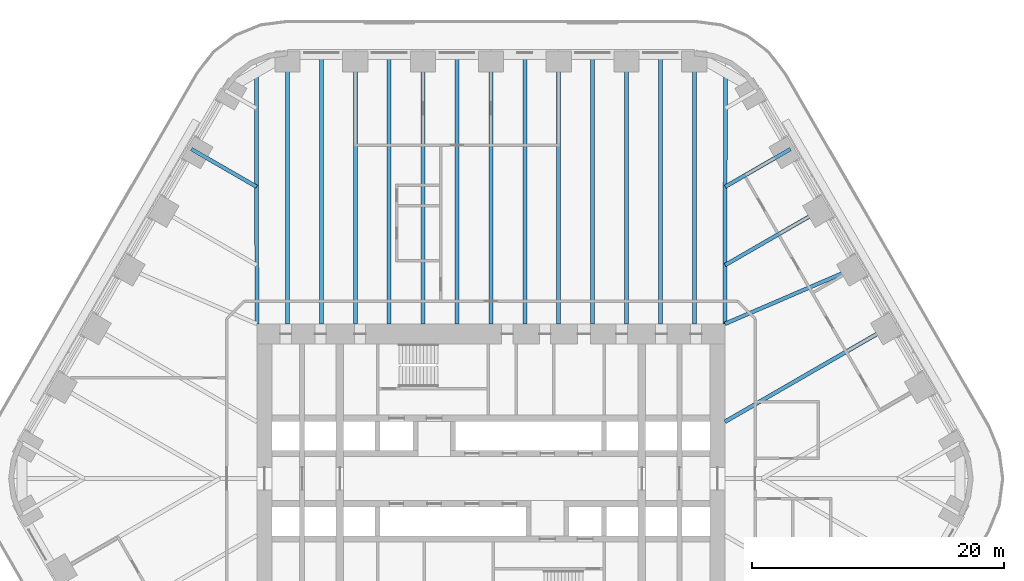
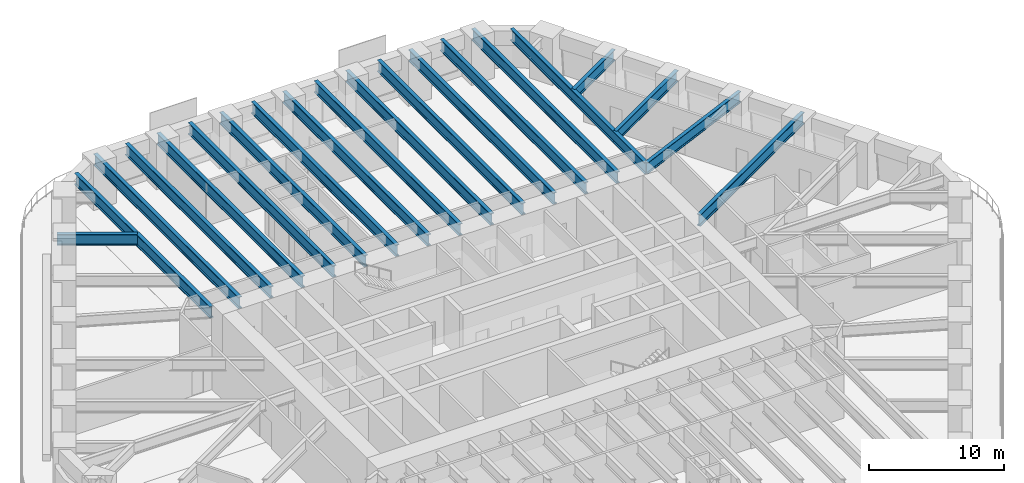
# One storey, part 10 of 24: 20 beams.
"""IFC4 building model written with IfcOpenShell, lengths in metres."""

import ifcopenshell
import ifcopenshell.guid

model = None  # the IFC model being written
_history = None  # IfcOwnerHistory: only IFC2X3 demands one
_inside = {}  # id of a spatial element -> (the spatial element, [elements in it])
_under = {}  # id of a project, library or spatial element -> (it, [spatial elements below it])
_declared = {}  # id of a project -> (the project, [libraries it declares])
_typed = {}  # id of a type object -> (the type object, [elements of that type])
_made_of = {}  # id of a material, layer set ... -> (it, [elements and type objects made of it])


def new_model(schema):
    """Start an empty IFC model of exactly this schema.

    Asked for "IFC4X3", IfcOpenShell would pick the latest addendum, in which some entities
    have other attributes; the version numbers below select the first issue.
    IFC2X3 requires an IfcOwnerHistory on every rooted entity: one is made here for all.
    """
    global model, _history
    if schema == "IFC4X3":
        model = ifcopenshell.file(schema_version=(4, 3, 0, 0))
    else:
        model = ifcopenshell.file(schema=schema)
    _inside.clear()
    _under.clear()
    _declared.clear()
    _typed.clear()
    _made_of.clear()
    _history = None
    if model.schema == "IFC2X3":
        org = make("IfcOrganization", Name="unknown")
        user = make(
            "IfcPersonAndOrganization",
            ThePerson=make("IfcPerson", FamilyName="unknown"),
            TheOrganization=org,
        )
        app = make(
            "IfcApplication",
            ApplicationDeveloper=org,
            Version="unknown",
            ApplicationFullName="unknown",
            ApplicationIdentifier="unknown",
        )
        _history = make(
            "IfcOwnerHistory",
            OwningUser=user,
            OwningApplication=app,
            ChangeAction="ADDED",
            CreationDate=0,
        )
    return model


def make(cls, **values):
    """One entity of the class cls with the attributes given. An attribute that is None is left unset."""
    return model.create_entity(
        cls, **{name: value for name, value in values.items() if value is not None}
    )


def rooted(cls, **values):
    """An entity with a GlobalId (a new one), such as an element, a storey or a relation."""
    return make(cls, GlobalId=ifcopenshell.guid.new(), OwnerHistory=_history, **values)


def si_unit(unit_type, name, prefix=None):
    """IfcSIUnit, for example si_unit("LENGTHUNIT", "METRE", prefix="MILLI")."""
    return make("IfcSIUnit", UnitType=unit_type, Prefix=prefix, Name=name)


def assignment(units):
    """IfcUnitAssignment: the units of a project."""
    return None if units is None else make("IfcUnitAssignment", Units=units)


def point(xyz):
    """IfcCartesianPoint."""
    return None if xyz is None else make("IfcCartesianPoint", Coordinates=xyz)


def direction(xyz):
    """IfcDirection."""
    return None if xyz is None else make("IfcDirection", DirectionRatios=xyz)


def frame(location, z_axis=None, x_axis=None):
    """IfcAxis2Placement3D, a coordinate frame: its origin and axes. An axis left out is left unset."""
    return make(
        "IfcAxis2Placement3D",
        Location=point(location),
        Axis=direction(z_axis),
        RefDirection=direction(x_axis),
    )


def frame_2d(location, x_axis=None):
    """IfcAxis2Placement2D, a coordinate frame in the plane: its origin and x axis."""
    return make(
        "IfcAxis2Placement2D", Location=point(location), RefDirection=direction(x_axis)
    )


def origin():
    """The frame at (0, 0, 0) with its axes left unset."""
    return frame((0.0, 0.0, 0.0))


def origin_2d():
    """The frame at (0, 0) in the plane with its x axis left unset."""
    return frame_2d((0.0, 0.0))


def place(relative_to, where):
    """IfcLocalPlacement: puts the frame where relative to a parent placement (None: the world)."""
    return make(
        "IfcLocalPlacement", PlacementRelTo=relative_to, RelativePlacement=where
    )


def context(
    kind, dimensions, precision=None, world=None, true_north=None, identifier=None
):
    """IfcGeometricRepresentationContext, for example the 3D "Model" context."""
    return make(
        "IfcGeometricRepresentationContext",
        ContextIdentifier=identifier,
        ContextType=kind,
        CoordinateSpaceDimension=dimensions,
        Precision=precision,
        WorldCoordinateSystem=world,
        TrueNorth=true_north,
    )


def subcontext(parent, identifier, kind, view, scale=None):
    """IfcGeometricRepresentationSubContext, for example "Body" below "Model"."""
    return make(
        "IfcGeometricRepresentationSubContext",
        ContextIdentifier=identifier,
        ContextType=kind,
        ParentContext=parent,
        TargetScale=scale,
        TargetView=view,
    )


def project(units=None, contexts=None):
    """IfcProject with its units and contexts."""
    return rooted(
        "IfcProject",
        Name="project",
        RepresentationContexts=contexts,
        UnitsInContext=assignment(units),
    )


def spatial(cls, under=None, at=None, **own):
    """A site, building, storey or space (cls), placed at a placement, below another one or the project."""
    s = rooted(cls, ObjectPlacement=at, **own)
    if under is not None:
        _under.setdefault(under.id(), (under, []))[1].append(s)
    return s


def profile(cls, at=None, kind="AREA", **sizes):
    """A parametric profile (cls). Its sizes go by their IFC names, for example OverallWidth=200.0."""
    return make(cls, ProfileType=kind, Position=at, **sizes)


def i_section(**sizes):
    """IfcIShapeProfileDef."""
    return profile("IfcIShapeProfileDef", **sizes)


def extrude(swept, where, along, depth):
    """IfcExtrudedAreaSolid: the profile swept, set in the frame where, extruded along a direction by depth."""
    return make(
        "IfcExtrudedAreaSolid",
        SweptArea=swept,
        Position=where,
        ExtrudedDirection=direction(along),
        Depth=depth,
    )


def shape(context_of_items, identifier, shape_type, items):
    """IfcShapeRepresentation: the items that make up one representation, for example the "Body"."""
    return make(
        "IfcShapeRepresentation",
        ContextOfItems=context_of_items,
        RepresentationIdentifier=identifier,
        RepresentationType=shape_type,
        Items=items,
    )


def material(Name=None, Category=None):
    """IfcMaterial."""
    return make("IfcMaterial", Name=Name, Category=Category)


def material_profile(
    of_material, cross_section, Name=None, Category=None, Priority=None
):
    """IfcMaterialProfile: a cross section and its material."""
    return make(
        "IfcMaterialProfile",
        Name=Name,
        Material=of_material,
        Profile=cross_section,
        Priority=Priority,
        Category=Category,
    )


def profile_set(profiles, Name=None, composite=None):
    """IfcMaterialProfileSet."""
    return make(
        "IfcMaterialProfileSet",
        Name=Name,
        MaterialProfiles=profiles,
        CompositeProfile=composite,
    )


def made_of(thing, what):
    """Note that an element or type object is made of a material, layer set ...; save() writes the relation."""
    if what is not None:
        _made_of.setdefault(what.id(), (what, []))[1].append(thing)
    return thing


def type_object(cls, material=None, **own):
    """A type object (cls), such as IfcWallType, which elements share."""
    return made_of(rooted(cls, **own), material)


def element(
    cls,
    number,
    at=None,
    inside=None,
    cuts=None,
    type_object=None,
    material=None,
    context=None,
    identifier="Body",
    shape_type=None,
    held_by="IfcProductDefinitionShape",
    body=None,
    shapes=None,
    **own,
):
    """One element of the class cls, such as IfcWall. Its Tag is "e" and its number.

    at: its placement. inside: the storey or other place that contains it. cuts: it is an
    opening in that element (IfcRelVoidsElement). A single representation is given by context,
    identifier, shape_type and body (its items); several are given by shapes. held_by: the class
    of the entity that holds the representations. save() writes the other relations.
    """
    e = rooted(cls, Tag="e%d" % number, ObjectPlacement=at, **own)
    if body is not None:
        shapes = [shape(context, identifier, shape_type, body)]
    if shapes is not None:
        e.Representation = make(held_by, Representations=shapes)
    if inside is not None:
        _inside.setdefault(inside.id(), (inside, []))[1].append(e)
    if cuts is not None:
        rooted(
            "IfcRelVoidsElement", RelatingBuildingElement=cuts, RelatedOpeningElement=e
        )
    if type_object is not None:
        _typed.setdefault(type_object.id(), (type_object, []))[1].append(e)
    return made_of(e, material)


def aggregate(whole, parts):
    """IfcRelAggregates: a whole, such as a stair, and the parts it consists of."""
    return rooted("IfcRelAggregates", RelatingObject=whole, RelatedObjects=parts)


def save(model, path):
    """Write the relations noted so far, then the file.

    IfcRelAggregates (storeys below a building ...), IfcRelContainedInSpatialStructure (elements
    in a storey), IfcRelDefinesByType, IfcRelAssociatesMaterial and IfcRelDeclares: one each for
    every whole, place, type object, material and project.
    """
    for whole, parts in _under.values():
        aggregate(whole, parts)
    for where, things in _inside.values():
        rooted(
            "IfcRelContainedInSpatialStructure",
            RelatedElements=things,
            RelatingStructure=where,
        )
    for kind, things in _typed.values():
        rooted("IfcRelDefinesByType", RelatedObjects=things, RelatingType=kind)
    for what, things in _made_of.values():
        rooted("IfcRelAssociatesMaterial", RelatedObjects=things, RelatingMaterial=what)
    for by, libraries in _declared.values():
        rooted("IfcRelDeclares", RelatingContext=by, RelatedDefinitions=libraries)
    model.write(path)


model = new_model("IFC4")

# Units and contexts
model_context = context("Model", 3, precision=1e-05, world=origin(), true_north=direction((0.0, 1.0)))
body_context = subcontext(model_context, "Body", "Model", "MODEL_VIEW")
ifc_project = project(units=[si_unit("LENGTHUNIT", "METRE"), si_unit("AREAUNIT", "SQUARE_METRE"), si_unit("VOLUMEUNIT", "CUBIC_METRE"), si_unit("PLANEANGLEUNIT", "RADIAN"), si_unit("MASSUNIT", "GRAM", prefix="KILO")], contexts=[model_context])

# Site, building, storey
site_placement = place(None, origin())
site = spatial("IfcSite", under=ifc_project, at=site_placement, CompositionType="ELEMENT")
building_placement = place(site_placement, origin())
building = spatial("IfcBuilding", under=site, at=building_placement, Name="Tarfa Lantern Tower", CompositionType="ELEMENT")
storey_placement = place(building_placement, frame((0.0, 0.0, 65.5)))
storey = spatial("IfcBuildingStorey", under=building, at=storey_placement, Name="L14", CompositionType="ELEMENT", Elevation=65.5)

# Beams
ifc_material = material(Name="Steel S460M", Category="steel")
ifc_material_profile_1 = material_profile(ifc_material, i_section(OverallWidth=0.302001953125, OverallDepth=1.008056640625, WebThickness=0.02099609375, FlangeThickness=0.0400390625, FilletRadius=0.030029296875, at=origin_2d()), Name="UB1016x305x349")
ifc_profile_set_1 = profile_set([ifc_material_profile_1], Name="Steel S460M")
beam_type_1 = type_object("IfcBeamType", Name="UB1016x305x349", PredefinedType="BEAM", material=ifc_profile_set_1)
beam_1_placement = place(storey_placement, frame((29.202392578125, 16.860107421875, 3.495849609375), z_axis=(-0.918635483867, -0.395106122175, 0.0), x_axis=(0.395106122175, -0.918635483867, 0.0)))
element("IfcBeam", 1, at=beam_1_placement, inside=storey, type_object=beam_type_1, Name="Floor beam NE3", PredefinedType="BEAM", context=body_context, shape_type="SweptSolid", body=[
    extrude(i_section(OverallWidth=0.302001953125, OverallDepth=1.008056640625, WebThickness=0.02099609375, FlangeThickness=0.0400390625, FilletRadius=0.030029296875, at=origin_2d()), origin(), (0.0, 0.0, 1.0), 11.541259765625),
])
beam_2_placement = place(storey_placement, frame((26.508056640625, 21.526611328125, 3.495849609375), z_axis=(-0.866035355799, -0.49998276221, 0.0), x_axis=(0.49998276221, -0.866035355799, 0.0)))
element("IfcBeam", 2, at=beam_2_placement, inside=storey, type_object=beam_type_1, Name="Floor beam NE4", PredefinedType="BEAM", context=body_context, shape_type="SweptSolid", body=[
    extrude(i_section(OverallWidth=0.302001953125, OverallDepth=1.008056640625, WebThickness=0.02099609375, FlangeThickness=0.0400390625, FilletRadius=0.030029296875, at=origin_2d()), origin(), (0.0, 0.0, 1.0), 9.119873046875),
])
for number, where, z_axis, x_axis, name in (
    (3, (23.813720703125, 26.193359375, 3.495849609375), (-0.866015997389, -0.500016292001, 0.0), (0.500016292001, -0.866015997389, 0.0), "Floor beam NE5"),
    (4, (-23.813720703125, 26.193359375, 3.495849609375), (0.866015997389, -0.500016292001, 0.0), (0.500016292001, 0.866015997389, 0.0), "Floor beam NW1"),
):
    element("IfcBeam", number, at=place(storey_placement, frame(where, z_axis=z_axis, x_axis=x_axis)), inside=storey, type_object=beam_type_1, Name=name, PredefinedType="BEAM", context=body_context, shape_type="SweptSolid", body=[
        extrude(i_section(OverallWidth=0.302001953125, OverallDepth=1.008056640625, WebThickness=0.02099609375, FlangeThickness=0.0400390625, FilletRadius=0.030029296875, at=origin_2d()), origin(), (0.0, 0.0, 1.0), 5.993408203125),
    ])
ifc_material_profile_2 = material_profile(ifc_material, i_section(OverallWidth=0.314208984375, OverallDepth=1.055908203125, WebThickness=0.035888671875, FlangeThickness=0.06396484375, FilletRadius=0.030029296875, at=origin_2d()), Name="UB1016x305x584")
ifc_profile_set_2 = profile_set([ifc_material_profile_2], Name="Steel S460M")
beam_type_2 = type_object("IfcBeamType", Name="UB1016x305x584", PredefinedType="BEAM", material=ifc_profile_set_2)
for number, where, z_axis, x_axis, name in (
    (5, (18.60009765625, 12.300048828125, 3.471923828125), (0.00212508222, 0.99999774201, 0.0), (-0.99999774201, 0.00212508222, 0.0), "Hip girder NE"),
    (6, (-18.60009765625, 12.300048828125, 3.471923828125), (-0.00212508222, 0.99999774201, 0.0), (-0.99999774201, -0.00212508222, 0.0), "Hip girder NW"),
):
    element("IfcBeam", number, at=place(storey_placement, frame(where, z_axis=z_axis, x_axis=x_axis)), inside=storey, type_object=beam_type_2, Name=name, PredefinedType="BEAM", context=body_context, shape_type="SweptSolid", body=[
        extrude(i_section(OverallWidth=0.314208984375, OverallDepth=1.055908203125, WebThickness=0.035888671875, FlangeThickness=0.06396484375, FilletRadius=0.030029296875, at=origin_2d()), origin(), (0.0, 0.0, 1.0), 19.989990234375),
    ])
beam_3_placement = place(storey_placement, frame((31.896728515625, 12.193359375, 3.471923828125), z_axis=(-0.866026971665, -0.499997284341, 0.0), x_axis=(0.499997284341, -0.866026971665, 0.0)))
element("IfcBeam", 7, at=beam_3_placement, inside=storey, type_object=beam_type_2, Name="Floor beam NE2", PredefinedType="BEAM", context=body_context, shape_type="SweptSolid", body=[
    extrude(i_section(OverallWidth=0.314208984375, OverallDepth=1.055908203125, WebThickness=0.035888671875, FlangeThickness=0.06396484375, FilletRadius=0.030029296875, at=origin_2d()), origin(), (0.0, 0.0, 1.0), 15.353515625),
])
for number, where, z_axis, x_axis, name in (
    (8, (16.165771484375, 33.719970703125, 3.471923828125), (0.0, -1.0, 0.0), (1.0, 0.0, 0.0), "Floor beam N0"),
    (9, (10.777099609375, 33.719970703125, 3.471923828125), (0.0, -1.0, 0.0), (1.0, 0.0, 0.0), "Floor beam N1"),
    (10, (5.388671875, 33.719970703125, 3.471923828125), (0.0, -1.0, 0.0), (1.0, 0.0, 0.0), "Floor beam N2"),
    (11, (0.0, 33.719970703125, 3.471923828125), (0.0, -1.0, 0.0), (1.0, 0.0, 0.0), "Floor beam N3"),
    (12, (-5.388671875, 33.719970703125, 3.471923828125), (0.0, -1.0, 0.0), (1.0, 0.0, 0.0), "Floor beam N4"),
    (13, (-10.777099609375, 33.719970703125, 3.471923828125), (0.0, -1.0, 0.0), (1.0, 0.0, 0.0), "Floor beam N5"),
    (14, (-16.165771484375, 33.719970703125, 3.471923828125), (0.0, -1.0, 0.0), (1.0, 0.0, 0.0), "Floor beam N6"),
    (15, (13.471435546875, 33.719970703125, 3.471923828125), (0.0, -1.0, 0.0), (1.0, 0.0, 0.0), "Floor beam N0M"),
    (16, (8.0830078125, 33.719970703125, 3.471923828125), (0.0, -1.0, 0.0), (1.0, 0.0, 0.0), "Floor beam N1M"),
    (17, (2.6943359375, 33.719970703125, 3.471923828125), (0.0, -1.0, 0.0), (1.0, 0.0, 0.0), "Floor beam N2M"),
    (18, (-2.6943359375, 33.719970703125, 3.471923828125), (0.0, -1.0, 0.0), (1.0, 0.0, 0.0), "Floor beam N3M"),
    (19, (-8.0830078125, 33.719970703125, 3.471923828125), (0.0, -1.0, 0.0), (1.0, 0.0, 0.0), "Floor beam N4M"),
    (20, (-13.471435546875, 33.719970703125, 3.471923828125), (0.0, -1.0, 0.0), (1.0, 0.0, 0.0), "Floor beam N5M"),
):
    element("IfcBeam", number, at=place(storey_placement, frame(where, z_axis=z_axis, x_axis=x_axis)), inside=storey, type_object=beam_type_2, Name=name, PredefinedType="BEAM", context=body_context, shape_type="SweptSolid", body=[
        extrude(i_section(OverallWidth=0.314208984375, OverallDepth=1.055908203125, WebThickness=0.035888671875, FlangeThickness=0.06396484375, FilletRadius=0.030029296875, at=origin_2d()), origin(), (0.0, 0.0, 1.0), 21.419921875),
    ])

save(model, "model.ifc")
